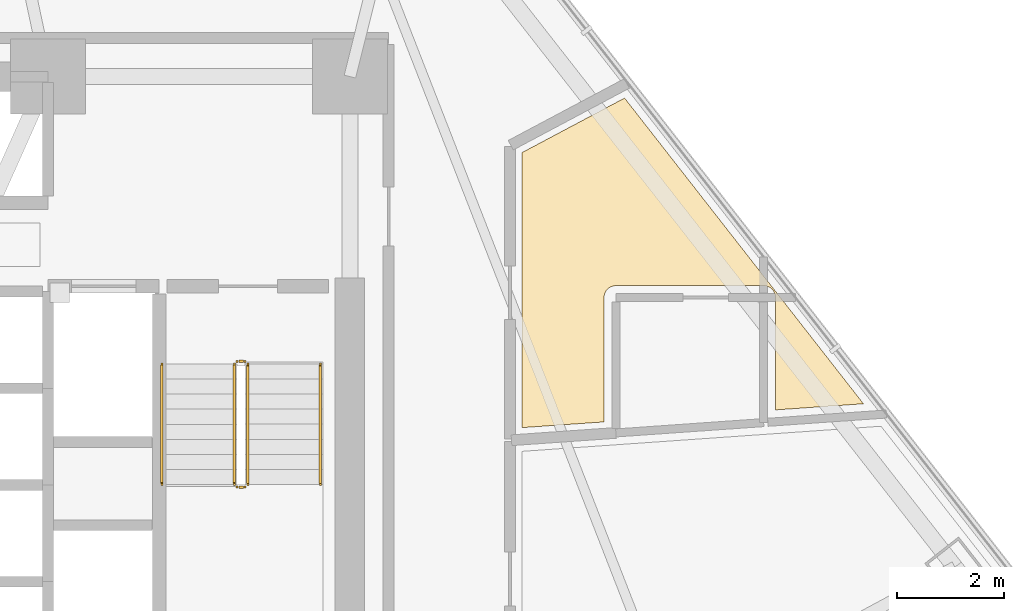
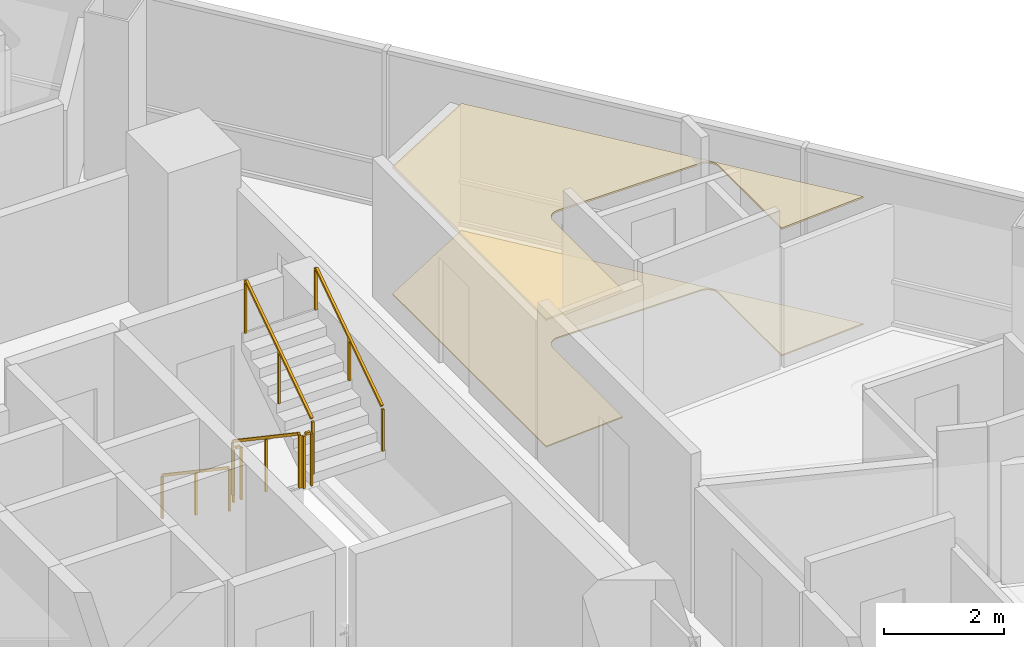
# One storey, part 14 of 15: 6 railings, 2 coverings.
"""IFC4 building model written with IfcOpenShell, lengths in metres."""

from ifc_helpers import new_model, si_unit, direction, frame, origin, origin_2d, place, context, subcontext, project, spatial, polyline, rectangle, outline, extrude, material, layer, layer_set, type_object, element, save


model = new_model("IFC4")

# Units and contexts
model_context = context("Model", 3, precision=1e-05, world=origin(), true_north=direction((0.0, 1.0)))
body_context = subcontext(model_context, "Body", "Model", "MODEL_VIEW")
ifc_project = project(units=[si_unit("LENGTHUNIT", "METRE"), si_unit("AREAUNIT", "SQUARE_METRE"), si_unit("VOLUMEUNIT", "CUBIC_METRE"), si_unit("PLANEANGLEUNIT", "RADIAN"), si_unit("MASSUNIT", "GRAM", prefix="KILO")], contexts=[model_context])

# Site, building, storey
site_placement = place(None, origin())
site = spatial("IfcSite", under=ifc_project, at=site_placement, CompositionType="ELEMENT")
building_placement = place(site_placement, origin())
building = spatial("IfcBuilding", under=site, at=building_placement, Name="Tharavind Bronze Gate", CompositionType="ELEMENT")
storey_placement = place(building_placement, frame((0.0, 0.0, 60.449951171875)))
storey = spatial("IfcBuildingStorey", under=building, at=storey_placement, Name="L14", CompositionType="ELEMENT", Elevation=60.449951171875)

# Coverings
ifc_material_1 = material(Name="Engineered Oak & Carpet Tile", Category="wood")
ifc_layer_1 = layer(ifc_material_1, 0.02490234375)
ifc_layer_set_1 = layer_set([ifc_layer_1], Name="Engineered Oak & Carpet Tile")
covering_type_1 = type_object("IfcCoveringType", Name="ENGINEERED TIMBER FLOORING", PredefinedType="FLOORING", material=ifc_layer_set_1)
covering_1_placement = place(storey_placement, origin())
element("IfcCovering", 1, at=covering_1_placement, inside=storey, type_object=covering_type_1, Name="L14-RM-01 floor finish", PredefinedType="FLOORING", context=body_context, shape_type="SweptSolid", body=[
    extrude(outline(polyline([(13.6298828125, 1.173583984375), (13.6298828125, 3.489013671875), (13.631103515625, 3.5107421875), (13.63427734375, 3.531982421875), (13.639404296875, 3.552978515625), (13.646728515625, 3.5732421875), (13.656005859375, 3.5927734375), (13.6669921875, 3.611328125), (13.679931640625, 3.628662109375), (13.6943359375, 3.644775390625), (13.71044921875, 3.6591796875), (13.727783203125, 3.672119140625), (13.746337890625, 3.68310546875), (13.765869140625, 3.6923828125), (13.7861328125, 3.69970703125), (13.80712890625, 3.704833984375), (13.828369140625, 3.7080078125), (13.85009765625, 3.708984375), (16.60009765625, 3.708984375), (16.62158203125, 3.7080078125), (16.642822265625, 3.704833984375), (16.663818359375, 3.69970703125), (16.68408203125, 3.6923828125), (16.70361328125, 3.68310546875), (16.72216796875, 3.672119140625), (16.739501953125, 3.6591796875), (16.755615234375, 3.644775390625), (16.77001953125, 3.628662109375), (16.782958984375, 3.611328125), (16.7939453125, 3.5927734375), (16.80322265625, 3.5732421875), (16.810546875, 3.552978515625), (16.81591796875, 3.531982421875), (16.81884765625, 3.5107421875), (16.820068359375, 3.489013671875), (16.820068359375, 1.396728515625), (18.457275390625, 1.51123046875), (14.01171875, 7.200927734375), (12.10009765625, 6.1845703125), (12.10009765625, 1.066650390625), (13.6298828125, 1.173583984375)])), origin(), (0.0, 0.0, 1.0), 0.025146484375),
])
ifc_material_2 = material(Name="Acoustic Gypsum Board", Category="gypsum")
ifc_layer_2 = layer(ifc_material_2, 0.030029296875)
ifc_layer_set_2 = layer_set([ifc_layer_2], Name="Acoustic Gypsum Board")
covering_type_2 = type_object("IfcCoveringType", Name="GYPSUM SUSPENDED CEILING", PredefinedType="CEILING", material=ifc_layer_set_2)
covering_2_placement = place(storey_placement, frame((0.0, 0.0, 2.574951171875)))
element("IfcCovering", 2, at=covering_2_placement, inside=storey, type_object=covering_type_2, Name="L14-RM-01 suspended ceiling", PredefinedType="CEILING", context=body_context, shape_type="SweptSolid", body=[
    extrude(outline(polyline([(13.6298828125, 1.173583984375), (13.6298828125, 3.489013671875), (13.631103515625, 3.5107421875), (13.63427734375, 3.531982421875), (13.639404296875, 3.552978515625), (13.646728515625, 3.5732421875), (13.656005859375, 3.5927734375), (13.6669921875, 3.611328125), (13.679931640625, 3.628662109375), (13.6943359375, 3.644775390625), (13.71044921875, 3.6591796875), (13.727783203125, 3.672119140625), (13.746337890625, 3.68310546875), (13.765869140625, 3.6923828125), (13.7861328125, 3.69970703125), (13.80712890625, 3.704833984375), (13.828369140625, 3.7080078125), (13.85009765625, 3.708984375), (16.60009765625, 3.708984375), (16.62158203125, 3.7080078125), (16.642822265625, 3.704833984375), (16.663818359375, 3.69970703125), (16.68408203125, 3.6923828125), (16.70361328125, 3.68310546875), (16.72216796875, 3.672119140625), (16.739501953125, 3.6591796875), (16.755615234375, 3.644775390625), (16.77001953125, 3.628662109375), (16.782958984375, 3.611328125), (16.7939453125, 3.5927734375), (16.80322265625, 3.5732421875), (16.810546875, 3.552978515625), (16.81591796875, 3.531982421875), (16.81884765625, 3.5107421875), (16.820068359375, 3.489013671875), (16.820068359375, 1.396728515625), (18.457275390625, 1.51123046875), (14.01171875, 7.200927734375), (12.10009765625, 6.1845703125), (12.10009765625, 1.066650390625), (13.6298828125, 1.173583984375)])), origin(), (0.0, 0.0, 1.0), 0.03515625),
])

# Railings
ifc_material_3 = material(Name="Brushed Bronze Alloy", Category="metal")
railing_type_1 = type_object("IfcRailingType", Name="STAIR BRONZE HANDRAIL 900", PredefinedType="HANDRAIL", material=ifc_material_3)
railing_1_placement = place(storey_placement, frame((5.39990234375, 2.25, 0.18896484375)))
element("IfcRailing", 3, at=railing_1_placement, inside=storey, type_object=railing_type_1, Name="L14 ST2 stair handrail 1", PredefinedType="HANDRAIL", context=body_context, shape_type="SweptSolid", body=[
    extrude(rectangle(XDim=0.048095703125, YDim=0.048095703125, at=origin_2d()), frame((0.0, -0.026611328125, 0.893798828125), z_axis=(0.0, -0.829021472004, 0.559216772778), x_axis=(1.0, 0.0, 0.0)), (0.0, 0.0, 1.0), 2.637939453125),
    extrude(rectangle(XDim=0.0400390625, YDim=0.0400390625, at=origin_2d()), origin(), (0.0, 0.0, 1.0), 0.847900390625),
    extrude(rectangle(XDim=0.0400390625, YDim=0.0400390625, at=origin_2d()), frame((0.0, -1.1201171875, 0.75537109375)), (0.0, 0.0, 1.0), 0.847900390625),
    extrude(rectangle(XDim=0.0400390625, YDim=0.0400390625, at=origin_2d()), frame((0.0, -2.239990234375, 1.510986328125)), (0.0, 0.0, 1.0), 0.847900390625),
])
railing_2_placement = place(storey_placement, frame((8.35009765625, 0.010009765625, 1.888916015625)))
element("IfcRailing", 4, at=railing_2_placement, inside=storey, type_object=railing_type_1, Name="L14 ST2 stair handrail 2", PredefinedType="HANDRAIL", context=body_context, shape_type="SweptSolid", body=[
    extrude(rectangle(XDim=0.048095703125, YDim=0.048095703125, at=origin_2d()), frame((0.0, 0.026611328125, 0.893798828125), z_axis=(0.0, 0.828979582247, 0.559278868023), x_axis=(-1.0, 0.0, 0.0)), (0.0, 0.0, 1.0), 2.63818359375),
    extrude(rectangle(XDim=0.0400390625, YDim=0.0400390625, at=origin_2d()), origin(), (0.0, 0.0, 1.0), 0.847900390625),
    extrude(rectangle(XDim=0.0400390625, YDim=0.0400390625, at=origin_2d()), frame((0.0, 1.1201171875, 0.755615234375)), (0.0, 0.0, 1.0), 0.847900390625),
    extrude(rectangle(XDim=0.0400390625, YDim=0.0400390625, at=origin_2d()), frame((0.0, 2.239990234375, 1.51123046875)), (0.0, 0.0, 1.0), 0.847900390625),
])
railing_type_2 = type_object("IfcRailingType", Name="STAIR WELL GUARD RAILING 1120", PredefinedType="GUARDRAIL", material=ifc_material_3)
railing_3_placement = place(storey_placement, frame((6.75, 2.25, 0.18896484375)))
element("IfcRailing", 5, at=railing_3_placement, inside=storey, type_object=railing_type_2, Name="L14 ST2 stair guard 1", PredefinedType="GUARDRAIL", context=body_context, shape_type="SweptSolid", body=[
    extrude(rectangle(XDim=0.048095703125, YDim=0.048095703125, at=origin_2d()), frame((0.0, -0.026611328125, 1.114013671875), z_axis=(0.0, -0.829021472004, 0.559216772778), x_axis=(1.0, 0.0, 0.0)), (0.0, 0.0, 1.0), 2.637939453125),
    extrude(rectangle(XDim=0.0400390625, YDim=0.0400390625, at=origin_2d()), origin(), (0.0, 0.0, 1.0), 1.068115234375),
    extrude(rectangle(XDim=0.0400390625, YDim=0.0400390625, at=origin_2d()), frame((0.0, -1.1201171875, 0.75537109375)), (0.0, 0.0, 1.0), 1.068115234375),
    extrude(rectangle(XDim=0.0400390625, YDim=0.0400390625, at=origin_2d()), frame((0.0, -2.239990234375, 1.510986328125)), (0.0, 0.0, 1.0), 1.068115234375),
])
railing_4_placement = place(storey_placement, frame((6.800048828125, -0.0400390625, 1.699951171875)))
element("IfcRailing", 6, at=railing_4_placement, inside=storey, type_object=railing_type_2, Name="L14 ST2 stair guard 2", PredefinedType="GUARDRAIL", context=body_context, shape_type="SweptSolid", body=[
    extrude(rectangle(XDim=0.048095703125, YDim=0.048095703125, at=origin_2d()), frame((0.031982421875, 0.0, 1.09619140625), z_axis=(1.0, 0.0, 0.0), x_axis=(0.0, 1.0, 0.0)), (0.0, 0.0, 1.0), 0.0859375),
    extrude(rectangle(XDim=0.0400390625, YDim=0.0400390625, at=origin_2d()), origin(), (0.0, 0.0, 1.0), 1.068115234375),
    extrude(rectangle(XDim=0.0400390625, YDim=0.0400390625, at=origin_2d()), frame((0.14990234375, 0.0, 0.0)), (0.0, 0.0, 1.0), 1.068115234375),
])
railing_5_placement = place(storey_placement, frame((7.0, 0.010009765625, 1.888916015625)))
element("IfcRailing", 7, at=railing_5_placement, inside=storey, type_object=railing_type_2, Name="L14 ST2 stair guard 3", PredefinedType="GUARDRAIL", context=body_context, shape_type="SweptSolid", body=[
    extrude(rectangle(XDim=0.048095703125, YDim=0.048095703125, at=origin_2d()), frame((0.0, 0.026611328125, 1.114013671875), z_axis=(0.0, 0.828979582247, 0.559278868023), x_axis=(-1.0, 0.0, 0.0)), (0.0, 0.0, 1.0), 2.63818359375),
    extrude(rectangle(XDim=0.0400390625, YDim=0.0400390625, at=origin_2d()), origin(), (0.0, 0.0, 1.0), 1.068115234375),
    extrude(rectangle(XDim=0.0400390625, YDim=0.0400390625, at=origin_2d()), frame((0.0, 1.1201171875, 0.755615234375)), (0.0, 0.0, 1.0), 1.068115234375),
    extrude(rectangle(XDim=0.0400390625, YDim=0.0400390625, at=origin_2d()), frame((0.0, 2.239990234375, 1.51123046875)), (0.0, 0.0, 1.0), 1.068115234375),
])
railing_6_placement = place(storey_placement, frame((6.800048828125, 2.300048828125, 0.0)))
element("IfcRailing", 8, at=railing_6_placement, inside=storey, type_object=railing_type_2, Name="L14 ST2 stair guard 4", PredefinedType="GUARDRAIL", context=body_context, shape_type="SweptSolid", body=[
    extrude(rectangle(XDim=0.048095703125, YDim=0.048095703125, at=origin_2d()), frame((0.031982421875, 0.0, 1.09619140625), z_axis=(1.0, 0.0, 0.0), x_axis=(0.0, 1.0, 0.0)), (0.0, 0.0, 1.0), 0.0859375),
    extrude(rectangle(XDim=0.0400390625, YDim=0.0400390625, at=origin_2d()), origin(), (0.0, 0.0, 1.0), 1.068115234375),
    extrude(rectangle(XDim=0.0400390625, YDim=0.0400390625, at=origin_2d()), frame((0.14990234375, 0.0, 0.0)), (0.0, 0.0, 1.0), 1.068115234375),
])

save(model, "model.ifc")
